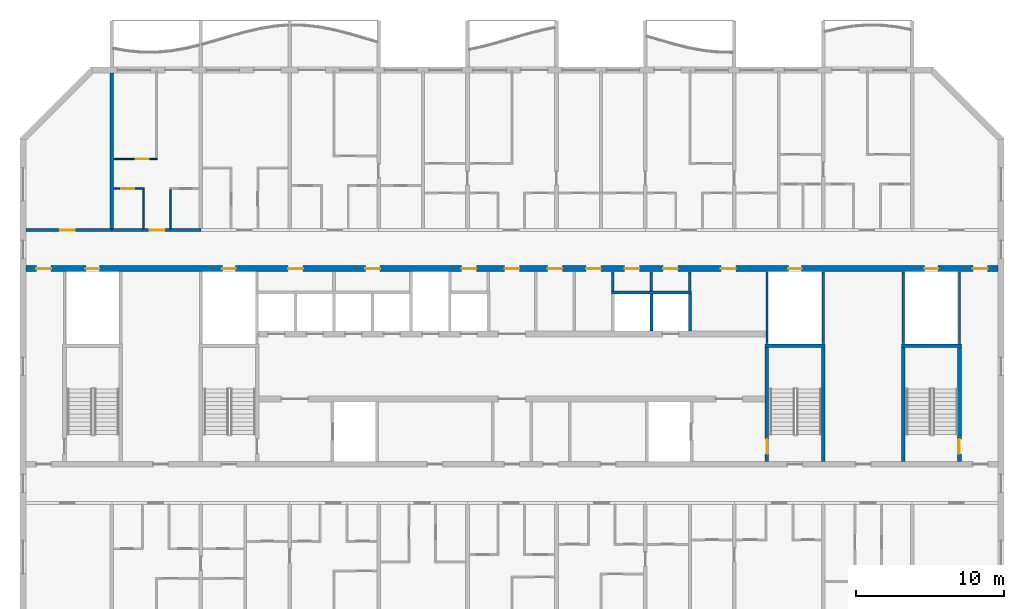
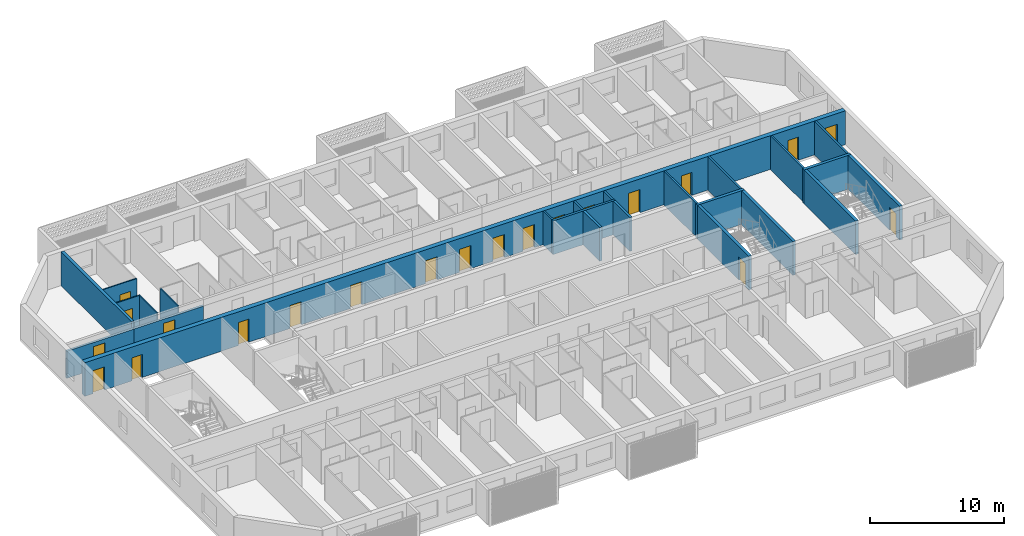
# One storey, part 7 of 27: 24 walls, 21 doors, 21 openings.
"""IFC4 building model written with IfcOpenShell, lengths in metres."""

from ifc_helpers import new_model, si_unit, direction, frame, frame_2d, origin, place, context, subcontext, project, spatial, rectangle, extrude, material, layer, layer_set, type_object, element, fill, save


model = new_model("IFC4")

# Units and contexts
model_context = context("Model", 3, precision=1e-05, world=origin(), true_north=direction((0.0, 1.0)))
body_context = subcontext(model_context, "Body", "Model", "MODEL_VIEW")
ifc_project = project(units=[si_unit("LENGTHUNIT", "METRE"), si_unit("AREAUNIT", "SQUARE_METRE"), si_unit("VOLUMEUNIT", "CUBIC_METRE"), si_unit("PLANEANGLEUNIT", "RADIAN"), si_unit("MASSUNIT", "GRAM", prefix="KILO")], contexts=[model_context])

# Site, building, storey
site_placement = place(None, origin())
site = spatial("IfcSite", under=ifc_project, at=site_placement, CompositionType="ELEMENT")
building_placement = place(site_placement, origin())
building = spatial("IfcBuilding", under=site, at=building_placement, Name="Poui Terraces", CompositionType="ELEMENT")
storey_placement = place(building_placement, frame((0.0, 0.0, 204.89990234375)))
storey = spatial("IfcBuildingStorey", under=building, at=storey_placement, Name="L57", CompositionType="ELEMENT", Elevation=204.89990234375)

# Wall, opening, door
ifc_material_1 = material(Name="Concrete 50 MPa", Category="concrete")
ifc_layer_1 = layer(ifc_material_1, 0.199951171875)
ifc_layer_set_1 = layer_set([ifc_layer_1], Name="Concrete 50 MPa")
wall_type_1 = type_object("IfcWallType", Name="CORRIDOR WALL 200 50MPa", PredefinedType="SHEAR", material=ifc_layer_set_1)
wall_1_placement = place(storey_placement, frame((18.199951171875, 30.39990234375, 0.0), z_axis=(0.0, 0.0, 1.0), x_axis=(1.0, 0.0, 0.0)))
wall_1 = element("IfcWall", 1, at=wall_1_placement, inside=storey, type_object=wall_type_1, Name="CORRIDOR WALL LINE E BAY 1", PredefinedType="SHEAR", context=body_context, shape_type="SweptSolid", body=[
    extrude(rectangle(XDim=5.800048828125, YDim=0.199951171875, at=frame_2d((2.89990234375, 0.0))), origin(), (0.0, 0.0, 1.0), 2.47998046875),
])
opening_1_placement = place(wall_1_placement, frame((2.300048828125, 0.0, 0.0)))
opening_1 = element("IfcOpeningElement", 2, at=opening_1_placement, cuts=wall_1, Name="Opening D100", PredefinedType="OPENING", context=body_context, shape_type="SweptSolid", body=[
    extrude(rectangle(XDim=1.0, YDim=2.10009765625, at=frame_2d((0.5, 1.050048828125))), frame((0.0, 0.10986328125, 0.0), z_axis=(0.0, -1.0, 0.0), x_axis=(1.0, 0.0, 0.0)), (0.0, 0.0, 1.0), 0.219970703125),
])
ifc_material_2 = material(Name="Solid core timber door", Category="wood")
door_type_1 = type_object("IfcDoorType", Name="ACCESSIBLE INTERNAL DOOR 1000 X 2100", OperationType="NOTDEFINED", PredefinedType="DOOR", material=ifc_material_2)
door_1_placement = place(opening_1_placement, origin())
door_1 = element("IfcDoor", 3, at=door_1_placement, inside=storey, type_object=door_type_1, Name="ACCESSIBLE INTERNAL DOOR 026", OperationType="SINGLE_SWING_LEFT", OverallHeight=2.10009765625, OverallWidth=1.0, PredefinedType="DOOR", context=body_context, shape_type="SweptSolid", body=[
    extrude(rectangle(XDim=1.0, YDim=2.10009765625, at=frame_2d((0.5, 1.050048828125))), frame((0.0, 0.02490234375, 0.0), z_axis=(0.0, -1.0, 0.0), x_axis=(1.0, 0.0, 0.0)), (0.0, 0.0, 1.0), 0.050048828125),
])
fill(opening_1, door_1)

wall_2_placement = place(storey_placement, frame((24.0, 30.39990234375, 0.0), z_axis=(0.0, 0.0, 1.0), x_axis=(1.0, 0.0, 0.0)))
wall_2 = element("IfcWall", 4, at=wall_2_placement, inside=storey, type_object=wall_type_1, Name="CORRIDOR WALL LINE E BAY 2", PredefinedType="SHEAR", context=body_context, shape_type="SweptSolid", body=[
    extrude(rectangle(XDim=6.0, YDim=0.199951171875, at=frame_2d((3.0, 0.0))), origin(), (0.0, 0.0, 1.0), 2.47998046875),
])
opening_2_placement = place(wall_2_placement, frame((2.550048828125, 0.0, 0.0)))
opening_2 = element("IfcOpeningElement", 5, at=opening_2_placement, cuts=wall_2, Name="Opening FD30S", PredefinedType="OPENING", context=body_context, shape_type="SweptSolid", body=[
    extrude(rectangle(XDim=1.0, YDim=2.10009765625, at=frame_2d((0.5, 1.050048828125))), frame((0.0, 0.10986328125, 0.0), z_axis=(0.0, -1.0, 0.0), x_axis=(1.0, 0.0, 0.0)), (0.0, 0.0, 1.0), 0.219970703125),
])
ifc_material_3 = material(Name="Steel fire door", Category="steel")
door_type_2 = type_object("IfcDoorType", Name="FLAT ENTRANCE DOOR 1000 X 2100", OperationType="NOTDEFINED", PredefinedType="DOOR", material=ifc_material_3)
door_2_placement = place(opening_2_placement, origin())
door_2 = element("IfcDoor", 6, at=door_2_placement, inside=storey, type_object=door_type_2, Name="FLAT ENTRANCE DOOR 029", OperationType="SINGLE_SWING_RIGHT", OverallHeight=2.10009765625, OverallWidth=1.0, PredefinedType="DOOR", context=body_context, shape_type="SweptSolid", body=[
    extrude(rectangle(XDim=1.0, YDim=2.10009765625, at=frame_2d((0.5, 1.050048828125))), frame((0.0, 0.02490234375, 0.0), z_axis=(0.0, -1.0, 0.0), x_axis=(1.0, 0.0, 0.0)), (0.0, 0.0, 1.0), 0.050048828125),
])
fill(opening_2, door_2)

# Wall
ifc_layer_2 = layer(ifc_material_1, 0.25)
ifc_layer_set_2 = layer_set([ifc_layer_2], Name="Concrete 50 MPa")
wall_type_2 = type_object("IfcWallType", Name="CROSS WALL 250 50MPa", PredefinedType="SHEAR", material=ifc_layer_set_2)
wall_3_placement = place(storey_placement, frame((24.0, 30.5, 0.0), z_axis=(0.0, 0.0, 1.0), x_axis=(0.0, 1.0, 0.0)))
element("IfcWall", 7, at=wall_3_placement, inside=storey, type_object=wall_type_2, Name="CROSS WALL LINE 5 NORTH", PredefinedType="SHEAR", context=body_context, shape_type="SweptSolid", body=[
    extrude(rectangle(XDim=10.5, YDim=0.25, at=frame_2d((5.25, 0.0))), origin(), (0.0, 0.0, 1.0), 3.080078125),
])

# Wall, opening, door
ifc_material_4 = material(Name="Plasterboard partition")
ifc_layer_3 = layer(ifc_material_4, 0.10009765625)
ifc_layer_set_3 = layer_set([ifc_layer_3], Name="Plasterboard partition")
wall_type_3 = type_object("IfcWallType", Name="FLAT PARTITION 100", PredefinedType="PARTITIONING", material=ifc_layer_set_3)
wall_4_placement = place(storey_placement, frame((24.135009765625, 33.199951171875, 0.0), z_axis=(0.0, 0.0, 1.0), x_axis=(1.0, 0.0, 0.0)))
wall_4 = element("IfcWall", 8, at=wall_4_placement, inside=storey, type_object=wall_type_3, Name="FLAT PARTITION 100", PredefinedType="PARTITIONING", context=body_context, shape_type="SweptSolid", body=[
    extrude(rectangle(XDim=2.06494140625, YDim=0.10009765625, at=frame_2d((1.032470703125, 0.0))), origin(), (0.0, 0.0, 1.0), 3.080078125),
])
opening_3_placement = place(wall_4_placement, frame((0.489990234375, 0.0, 0.0)))
opening_3 = element("IfcOpeningElement", 9, at=opening_3_placement, cuts=wall_4, Name="Opening D90", PredefinedType="OPENING", context=body_context, shape_type="SweptSolid", body=[
    extrude(rectangle(XDim=0.89990234375, YDim=2.10009765625, at=frame_2d((0.449951171875, 1.050048828125))), frame((0.0, 0.06005859375, 0.0), z_axis=(0.0, -1.0, 0.0), x_axis=(1.0, 0.0, 0.0)), (0.0, 0.0, 1.0), 0.1201171875),
])
door_type_3 = type_object("IfcDoorType", Name="INTERNAL DOOR 900 X 2100", OperationType="NOTDEFINED", PredefinedType="DOOR", material=ifc_material_2)
door_3_placement = place(opening_3_placement, frame((0.89990234375, 0.0, 0.0), z_axis=(0.0, 0.0, 1.0), x_axis=(-1.0, 0.0, 0.0)))
door_3 = element("IfcDoor", 10, at=door_3_placement, inside=storey, type_object=door_type_3, Name="INTERNAL DOOR 027", OperationType="SINGLE_SWING_LEFT", OverallHeight=2.10009765625, OverallWidth=0.89990234375, PredefinedType="DOOR", context=body_context, shape_type="SweptSolid", body=[
    extrude(rectangle(XDim=0.89990234375, YDim=2.10009765625, at=frame_2d((0.449951171875, 1.050048828125))), frame((0.0, 0.02490234375, 0.0), z_axis=(0.0, -1.0, 0.0), x_axis=(1.0, 0.0, 0.0)), (0.0, 0.0, 1.0), 0.050048828125),
])
fill(opening_3, door_3)

wall_5_placement = place(storey_placement, frame((24.135009765625, 35.199951171875, 0.0), z_axis=(0.0, 0.0, 1.0), x_axis=(1.0, 0.0, 0.0)))
wall_5 = element("IfcWall", 11, at=wall_5_placement, inside=storey, type_object=wall_type_3, Name="FLAT PARTITION 100", PredefinedType="PARTITIONING", context=body_context, shape_type="SweptSolid", body=[
    extrude(rectangle(XDim=2.9150390625, YDim=0.10009765625, at=frame_2d((1.45751953125, 0.0))), origin(), (0.0, 0.0, 1.0), 3.080078125),
])
opening_4_placement = place(wall_5_placement, frame((1.465087890625, 0.0, 0.0)))
opening_4 = element("IfcOpeningElement", 12, at=opening_4_placement, cuts=wall_5, Name="Opening D90", PredefinedType="OPENING", context=body_context, shape_type="SweptSolid", body=[
    extrude(rectangle(XDim=0.89990234375, YDim=2.10009765625, at=frame_2d((0.449951171875, 1.050048828125))), frame((0.0, 0.06005859375, 0.0), z_axis=(0.0, -1.0, 0.0), x_axis=(1.0, 0.0, 0.0)), (0.0, 0.0, 1.0), 0.1201171875),
])
door_4_placement = place(opening_4_placement, frame((0.89990234375, 0.0, 0.0), z_axis=(0.0, 0.0, 1.0), x_axis=(-1.0, 0.0, 0.0)))
door_4 = element("IfcDoor", 13, at=door_4_placement, inside=storey, type_object=door_type_3, Name="INTERNAL DOOR 028", OperationType="SINGLE_SWING_RIGHT", OverallHeight=2.10009765625, OverallWidth=0.89990234375, PredefinedType="DOOR", context=body_context, shape_type="SweptSolid", body=[
    extrude(rectangle(XDim=0.89990234375, YDim=2.10009765625, at=frame_2d((0.449951171875, 1.050048828125))), frame((0.0, 0.02490234375, 0.0), z_axis=(0.0, -1.0, 0.0), x_axis=(1.0, 0.0, 0.0)), (0.0, 0.0, 1.0), 0.050048828125),
])
fill(opening_4, door_4)

# Walls
for number, where, z_axis, x_axis, name in (
    (14, (26.14990234375, 30.510009765625, 0.0), (0.0, 0.0, 1.0), (0.0, 1.0, 0.0), "FLAT PARTITION 100"),
    (15, (27.949951171875, 30.510009765625, 0.0), (0.0, 0.0, 1.0), (0.0, 1.0, 0.0), "FLAT PARTITION 100"),
):
    element("IfcWall", number, at=place(storey_placement, frame(where, z_axis=z_axis, x_axis=x_axis)), inside=storey, type_object=wall_type_3, Name=name, PredefinedType="PARTITIONING", context=body_context, shape_type="SweptSolid", body=[
        extrude(rectangle(XDim=2.639892578125, YDim=0.10009765625, at=frame_2d((1.31982421875, 0.0))), origin(), (0.0, 0.0, 1.0), 3.080078125),
    ])
ifc_layer_4 = layer(ifc_material_4, 0.14990234375)
ifc_layer_set_4 = layer_set([ifc_layer_4], Name="Plasterboard partition")
wall_type_4 = type_object("IfcWallType", Name="PARTITION WALL 150", PredefinedType="PARTITIONING", material=ifc_layer_set_4)
for number, where, z_axis, x_axis, name in (
    (16, (57.800048828125, 26.300048828125, 0.0), (0.0, 0.0, 1.0), (0.0, 1.0, 0.0), "PARTITION WALL 150"),
    (17, (60.39990234375, 26.300048828125, 0.0), (0.0, 0.0, 1.0), (0.0, 1.0, 0.0), "PARTITION WALL 150"),
    (18, (63.0, 26.300048828125, 0.0), (0.0, 0.0, 1.0), (0.0, 1.0, 0.0), "PARTITION WALL 150"),
):
    element("IfcWall", number, at=place(storey_placement, frame(where, z_axis=z_axis, x_axis=x_axis)), inside=storey, type_object=wall_type_4, Name=name, PredefinedType="PARTITIONING", context=body_context, shape_type="SweptSolid", body=[
        extrude(rectangle(XDim=1.2900390625, YDim=0.14990234375, at=frame_2d((0.64501953125, 0.0))), origin(), (0.0, 0.0, 1.0), 3.080078125),
    ])
ifc_material_5 = material(Name="Fire-rated plasterboard riser wall")
ifc_layer_5 = layer(ifc_material_5, 0.14990234375)
ifc_layer_set_5 = layer_set([ifc_layer_5], Name="Fire-rated plasterboard riser wall")
wall_type_5 = type_object("IfcWallType", Name="RISER WALL 150", PredefinedType="PARTITIONING", material=ifc_layer_set_5)
for number, where, z_axis, x_axis, name in (
    (19, (68.199951171875, 22.735107421875, 0.0), (0.0, 0.0, 1.0), (0.0, 1.0, 0.0), "RISER WALL 150"),
    (20, (72.0, 22.735107421875, 0.0), (0.0, 0.0, 1.0), (0.0, 1.0, 0.0), "RISER WALL 150"),
    (21, (77.39990234375, 22.735107421875, 0.0), (0.0, 0.0, 1.0), (0.0, 1.0, 0.0), "RISER WALL 150"),
    (22, (81.199951171875, 22.735107421875, 0.0), (0.0, 0.0, 1.0), (0.0, 1.0, 0.0), "RISER WALL 150"),
):
    element("IfcWall", number, at=place(storey_placement, frame(where, z_axis=z_axis, x_axis=x_axis)), inside=storey, type_object=wall_type_5, Name=name, PredefinedType="PARTITIONING", context=body_context, shape_type="SweptSolid", body=[
        extrude(rectangle(XDim=4.85498046875, YDim=0.14990234375, at=frame_2d((2.427490234375, 0.0))), origin(), (0.0, 0.0, 1.0), 3.080078125),
    ])
ifc_material_6 = material(Name="Fire-rated masonry shaft wall", Category="masonry")
ifc_layer_6 = layer(ifc_material_6, 0.199951171875)
ifc_layer_set_6 = layer_set([ifc_layer_6], Name="Fire-rated masonry shaft wall")
wall_type_6 = type_object("IfcWallType", Name="SHAFT WALL 200", PredefinedType="PARTITIONING", material=ifc_layer_set_6)
wall_6_placement = place(storey_placement, frame((57.699951171875, 26.199951171875, 0.0), z_axis=(0.0, 0.0, 1.0), x_axis=(1.0, 0.0, 0.0)))
element("IfcWall", 23, at=wall_6_placement, inside=storey, type_object=wall_type_6, Name="SHAFT WALL 200", PredefinedType="PARTITIONING", context=body_context, shape_type="SweptSolid", body=[
    extrude(rectangle(XDim=5.400146484375, YDim=0.199951171875, at=frame_2d((2.7001953125, 0.0))), origin(), (0.0, 0.0, 1.0), 3.080078125),
])
for number, where, z_axis, x_axis, name in (
    (24, (60.39990234375, 23.610107421875, 0.0), (0.0, 0.0, 1.0), (0.0, 1.0, 0.0), "SHAFT WALL 200"),
    (25, (63.0, 23.610107421875, 0.0), (0.0, 0.0, 1.0), (0.0, 1.0, 0.0), "SHAFT WALL 200"),
):
    element("IfcWall", number, at=place(storey_placement, frame(where, z_axis=z_axis, x_axis=x_axis)), inside=storey, type_object=wall_type_6, Name=name, PredefinedType="PARTITIONING", context=body_context, shape_type="SweptSolid", body=[
        extrude(rectangle(XDim=2.489990234375, YDim=0.199951171875, at=frame_2d((1.2451171875, 0.0))), origin(), (0.0, 0.0, 1.0), 3.080078125),
    ])

# Wall, openings, doors
ifc_layer_7 = layer(ifc_material_1, 0.39990234375)
ifc_layer_set_7 = layer_set([ifc_layer_7], Name="Concrete 50 MPa")
wall_type_7 = type_object("IfcWallType", Name="SPINE WALL 400 50 MPA", PredefinedType="SOLIDWALL", material=ifc_layer_set_7)
wall_7_placement = place(storey_placement, frame((18.199951171875, 27.800048828125, 0.0), z_axis=(0.0, 0.0, 1.0), x_axis=(1.0, 0.0, 0.0)))
wall_7 = element("IfcWall", 26, at=wall_7_placement, inside=storey, type_object=wall_type_7, Name="SPINE WALL", PredefinedType="SOLIDWALL", context=body_context, shape_type="SweptSolid", body=[
    extrude(rectangle(XDim=65.60009765625, YDim=0.39990234375, at=frame_2d((32.800048828125, 0.0))), origin(), (0.0, 0.0, 1.0), 3.080078125),
])
opening_5_placement = place(wall_7_placement, frame((0.699951171875, 0.0, 0.0)))
opening_5 = element("IfcOpeningElement", 27, at=opening_5_placement, cuts=wall_7, Name="Opening FDL", PredefinedType="OPENING", context=body_context, shape_type="SweptSolid", body=[
    extrude(rectangle(XDim=1.0, YDim=2.10009765625, at=frame_2d((0.5, 1.050048828125))), frame((0.0, 0.2099609375, 0.0), z_axis=(0.0, -1.0, 0.0), x_axis=(1.0, 0.0, 0.0)), (0.0, 0.0, 1.0), 0.419921875),
])
opening_6_placement = place(wall_7_placement, frame((4.050048828125, 0.0, 0.0)))
opening_6 = element("IfcOpeningElement", 28, at=opening_6_placement, cuts=wall_7, Name="Opening FDR", PredefinedType="OPENING", context=body_context, shape_type="SweptSolid", body=[
    extrude(rectangle(XDim=0.89990234375, YDim=2.10009765625, at=frame_2d((0.449951171875, 1.050048828125))), frame((0.0, 0.2099609375, 0.0), z_axis=(0.0, -1.0, 0.0), x_axis=(1.0, 0.0, 0.0)), (0.0, 0.0, 1.0), 0.419921875),
])
opening_7_placement = place(wall_7_placement, frame((13.25, 0.0, 0.0)))
opening_7 = element("IfcOpeningElement", 29, at=opening_7_placement, cuts=wall_7, Name="Opening FDR", PredefinedType="OPENING", context=body_context, shape_type="SweptSolid", body=[
    extrude(rectangle(XDim=0.89990234375, YDim=2.10009765625, at=frame_2d((0.449951171875, 1.050048828125))), frame((0.0, 0.2099609375, 0.0), z_axis=(0.0, -1.0, 0.0), x_axis=(1.0, 0.0, 0.0)), (0.0, 0.0, 1.0), 0.419921875),
])
opening_8_placement = place(wall_7_placement, frame((17.699951171875, 0.0, 0.0)))
opening_8 = element("IfcOpeningElement", 30, at=opening_8_placement, cuts=wall_7, Name="Opening FD60", PredefinedType="OPENING", context=body_context, shape_type="SweptSolid", body=[
    extrude(rectangle(XDim=1.0, YDim=2.10009765625, at=frame_2d((0.5, 1.050048828125))), frame((0.0, 0.2099609375, 0.0), z_axis=(0.0, -1.0, 0.0), x_axis=(1.0, 0.0, 0.0)), (0.0, 0.0, 1.0), 0.419921875),
])
opening_9_placement = place(wall_7_placement, frame((22.89990234375, 0.0, 0.0)))
opening_9 = element("IfcOpeningElement", 31, at=opening_9_placement, cuts=wall_7, Name="Opening FD60", PredefinedType="OPENING", context=body_context, shape_type="SweptSolid", body=[
    extrude(rectangle(XDim=1.0, YDim=2.10009765625, at=frame_2d((0.5, 1.050048828125))), frame((0.0, 0.2099609375, 0.0), z_axis=(0.0, -1.0, 0.0), x_axis=(1.0, 0.0, 0.0)), (0.0, 0.0, 1.0), 0.419921875),
])
opening_10_placement = place(wall_7_placement, frame((29.39990234375, 0.0, 0.0)))
opening_10 = element("IfcOpeningElement", 32, at=opening_10_placement, cuts=wall_7, Name="Opening FD60", PredefinedType="OPENING", context=body_context, shape_type="SweptSolid", body=[
    extrude(rectangle(XDim=1.0, YDim=2.10009765625, at=frame_2d((0.5, 1.050048828125))), frame((0.0, 0.2099609375, 0.0), z_axis=(0.0, -1.0, 0.0), x_axis=(1.0, 0.0, 0.0)), (0.0, 0.0, 1.0), 0.419921875),
])
opening_11_placement = place(wall_7_placement, frame((32.300048828125, 0.0, 0.0)))
opening_11 = element("IfcOpeningElement", 33, at=opening_11_placement, cuts=wall_7, Name="Opening FDL", PredefinedType="OPENING", context=body_context, shape_type="SweptSolid", body=[
    extrude(rectangle(XDim=1.0, YDim=2.10009765625, at=frame_2d((0.5, 1.050048828125))), frame((0.0, 0.2099609375, 0.0), z_axis=(0.0, -1.0, 0.0), x_axis=(1.0, 0.0, 0.0)), (0.0, 0.0, 1.0), 0.419921875),
])
opening_12_placement = place(wall_7_placement, frame((35.199951171875, 0.0, 0.0)))
opening_12 = element("IfcOpeningElement", 34, at=opening_12_placement, cuts=wall_7, Name="Opening FD60", PredefinedType="OPENING", context=body_context, shape_type="SweptSolid", body=[
    extrude(rectangle(XDim=1.0, YDim=2.10009765625, at=frame_2d((0.5, 1.050048828125))), frame((0.0, 0.2099609375, 0.0), z_axis=(0.0, -1.0, 0.0), x_axis=(1.0, 0.0, 0.0)), (0.0, 0.0, 1.0), 0.419921875),
])
opening_13_placement = place(wall_7_placement, frame((37.800048828125, 0.0, 0.0)))
opening_13 = element("IfcOpeningElement", 35, at=opening_13_placement, cuts=wall_7, Name="Opening FD60", PredefinedType="OPENING", context=body_context, shape_type="SweptSolid", body=[
    extrude(rectangle(XDim=1.0, YDim=2.10009765625, at=frame_2d((0.5, 1.050048828125))), frame((0.0, 0.2099609375, 0.0), z_axis=(0.0, -1.0, 0.0), x_axis=(1.0, 0.0, 0.0)), (0.0, 0.0, 1.0), 0.419921875),
])
opening_14_placement = place(wall_7_placement, frame((40.39990234375, 0.0, 0.0)))
opening_14 = element("IfcOpeningElement", 36, at=opening_14_placement, cuts=wall_7, Name="Opening FD60", PredefinedType="OPENING", context=body_context, shape_type="SweptSolid", body=[
    extrude(rectangle(XDim=1.0, YDim=2.10009765625, at=frame_2d((0.5, 1.050048828125))), frame((0.0, 0.2099609375, 0.0), z_axis=(0.0, -1.0, 0.0), x_axis=(1.0, 0.0, 0.0)), (0.0, 0.0, 1.0), 0.419921875),
])
opening_15_placement = place(wall_7_placement, frame((43.0, 0.0, 0.0)))
opening_15 = element("IfcOpeningElement", 37, at=opening_15_placement, cuts=wall_7, Name="Opening FD60", PredefinedType="OPENING", context=body_context, shape_type="SweptSolid", body=[
    extrude(rectangle(XDim=1.0, YDim=2.10009765625, at=frame_2d((0.5, 1.050048828125))), frame((0.0, 0.2099609375, 0.0), z_axis=(0.0, -1.0, 0.0), x_axis=(1.0, 0.0, 0.0)), (0.0, 0.0, 1.0), 0.419921875),
])
opening_16_placement = place(wall_7_placement, frame((46.89990234375, 0.0, 0.0)))
opening_16 = element("IfcOpeningElement", 38, at=opening_16_placement, cuts=wall_7, Name="Opening FD60", PredefinedType="OPENING", context=body_context, shape_type="SweptSolid", body=[
    extrude(rectangle(XDim=1.0, YDim=2.10009765625, at=frame_2d((0.5, 1.050048828125))), frame((0.0, 0.2099609375, 0.0), z_axis=(0.0, -1.0, 0.0), x_axis=(1.0, 0.0, 0.0)), (0.0, 0.0, 1.0), 0.419921875),
])
opening_17_placement = place(wall_7_placement, frame((51.449951171875, 0.0, 0.0)))
opening_17 = element("IfcOpeningElement", 39, at=opening_17_placement, cuts=wall_7, Name="Opening FDR", PredefinedType="OPENING", context=body_context, shape_type="SweptSolid", body=[
    extrude(rectangle(XDim=0.89990234375, YDim=2.10009765625, at=frame_2d((0.449951171875, 1.050048828125))), frame((0.0, 0.2099609375, 0.0), z_axis=(0.0, -1.0, 0.0), x_axis=(1.0, 0.0, 0.0)), (0.0, 0.0, 1.0), 0.419921875),
])
opening_18_placement = place(wall_7_placement, frame((60.64990234375, 0.0, 0.0)))
opening_18 = element("IfcOpeningElement", 40, at=opening_18_placement, cuts=wall_7, Name="Opening FDR", PredefinedType="OPENING", context=body_context, shape_type="SweptSolid", body=[
    extrude(rectangle(XDim=0.89990234375, YDim=2.10009765625, at=frame_2d((0.449951171875, 1.050048828125))), frame((0.0, 0.2099609375, 0.0), z_axis=(0.0, -1.0, 0.0), x_axis=(1.0, 0.0, 0.0)), (0.0, 0.0, 1.0), 0.419921875),
])
opening_19_placement = place(wall_7_placement, frame((63.89990234375, 0.0, 0.0)))
opening_19 = element("IfcOpeningElement", 41, at=opening_19_placement, cuts=wall_7, Name="Opening FDL", PredefinedType="OPENING", context=body_context, shape_type="SweptSolid", body=[
    extrude(rectangle(XDim=1.0, YDim=2.10009765625, at=frame_2d((0.5, 1.050048828125))), frame((0.0, 0.2099609375, 0.0), z_axis=(0.0, -1.0, 0.0), x_axis=(1.0, 0.0, 0.0)), (0.0, 0.0, 1.0), 0.419921875),
])
door_type_4 = type_object("IfcDoorType", Name="LOBBY FIRE DOOR 1000 X 2100", OperationType="NOTDEFINED", PredefinedType="DOOR", material=ifc_material_3)
door_5_placement = place(opening_5_placement, origin())
door_5 = element("IfcDoor", 42, at=door_5_placement, inside=storey, type_object=door_type_4, Name="LOBBY FIRE DOOR 001", OperationType="SINGLE_SWING_LEFT", OverallHeight=2.10009765625, OverallWidth=1.0, PredefinedType="DOOR", context=body_context, shape_type="SweptSolid", body=[
    extrude(rectangle(XDim=1.0, YDim=2.10009765625, at=frame_2d((0.5, 1.050048828125))), frame((0.0, 0.02490234375, 0.0), z_axis=(0.0, -1.0, 0.0), x_axis=(1.0, 0.0, 0.0)), (0.0, 0.0, 1.0), 0.050048828125),
])
fill(opening_5, door_5)
door_6_placement = place(opening_11_placement, origin())
door_6 = element("IfcDoor", 43, at=door_6_placement, inside=storey, type_object=door_type_4, Name="LOBBY FIRE DOOR 007", OperationType="SINGLE_SWING_RIGHT", OverallHeight=2.10009765625, OverallWidth=1.0, PredefinedType="DOOR", context=body_context, shape_type="SweptSolid", body=[
    extrude(rectangle(XDim=1.0, YDim=2.10009765625, at=frame_2d((0.5, 1.050048828125))), frame((0.0, 0.02490234375, 0.0), z_axis=(0.0, -1.0, 0.0), x_axis=(1.0, 0.0, 0.0)), (0.0, 0.0, 1.0), 0.050048828125),
])
fill(opening_11, door_6)
door_7_placement = place(opening_19_placement, origin())
door_7 = element("IfcDoor", 44, at=door_7_placement, inside=storey, type_object=door_type_4, Name="LOBBY FIRE DOOR 015", OperationType="SINGLE_SWING_RIGHT", OverallHeight=2.10009765625, OverallWidth=1.0, PredefinedType="DOOR", context=body_context, shape_type="SweptSolid", body=[
    extrude(rectangle(XDim=1.0, YDim=2.10009765625, at=frame_2d((0.5, 1.050048828125))), frame((0.0, 0.02490234375, 0.0), z_axis=(0.0, -1.0, 0.0), x_axis=(1.0, 0.0, 0.0)), (0.0, 0.0, 1.0), 0.050048828125),
])
fill(opening_19, door_7)
door_type_5 = type_object("IfcDoorType", Name="RISER CUPBOARD DOOR 900 X 2100", OperationType="NOTDEFINED", PredefinedType="DOOR", material=ifc_material_3)
door_8_placement = place(opening_6_placement, origin())
door_8 = element("IfcDoor", 45, at=door_8_placement, inside=storey, type_object=door_type_5, Name="RISER CUPBOARD DOOR 002", OperationType="SINGLE_SWING_LEFT", OverallHeight=2.10009765625, OverallWidth=0.89990234375, PredefinedType="DOOR", context=body_context, shape_type="SweptSolid", body=[
    extrude(rectangle(XDim=0.89990234375, YDim=2.10009765625, at=frame_2d((0.449951171875, 1.050048828125))), frame((0.0, 0.02490234375, 0.0), z_axis=(0.0, -1.0, 0.0), x_axis=(1.0, 0.0, 0.0)), (0.0, 0.0, 1.0), 0.050048828125),
])
fill(opening_6, door_8)
door_9_placement = place(opening_7_placement, origin())
door_9 = element("IfcDoor", 46, at=door_9_placement, inside=storey, type_object=door_type_5, Name="RISER CUPBOARD DOOR 003", OperationType="SINGLE_SWING_LEFT", OverallHeight=2.10009765625, OverallWidth=0.89990234375, PredefinedType="DOOR", context=body_context, shape_type="SweptSolid", body=[
    extrude(rectangle(XDim=0.89990234375, YDim=2.10009765625, at=frame_2d((0.449951171875, 1.050048828125))), frame((0.0, 0.02490234375, 0.0), z_axis=(0.0, -1.0, 0.0), x_axis=(1.0, 0.0, 0.0)), (0.0, 0.0, 1.0), 0.050048828125),
])
fill(opening_7, door_9)
door_10_placement = place(opening_17_placement, origin())
door_10 = element("IfcDoor", 47, at=door_10_placement, inside=storey, type_object=door_type_5, Name="RISER CUPBOARD DOOR 013", OperationType="SINGLE_SWING_RIGHT", OverallHeight=2.10009765625, OverallWidth=0.89990234375, PredefinedType="DOOR", context=body_context, shape_type="SweptSolid", body=[
    extrude(rectangle(XDim=0.89990234375, YDim=2.10009765625, at=frame_2d((0.449951171875, 1.050048828125))), frame((0.0, 0.02490234375, 0.0), z_axis=(0.0, -1.0, 0.0), x_axis=(1.0, 0.0, 0.0)), (0.0, 0.0, 1.0), 0.050048828125),
])
fill(opening_17, door_10)
door_11_placement = place(opening_18_placement, origin())
door_11 = element("IfcDoor", 48, at=door_11_placement, inside=storey, type_object=door_type_5, Name="RISER CUPBOARD DOOR 014", OperationType="SINGLE_SWING_RIGHT", OverallHeight=2.10009765625, OverallWidth=0.89990234375, PredefinedType="DOOR", context=body_context, shape_type="SweptSolid", body=[
    extrude(rectangle(XDim=0.89990234375, YDim=2.10009765625, at=frame_2d((0.449951171875, 1.050048828125))), frame((0.0, 0.02490234375, 0.0), z_axis=(0.0, -1.0, 0.0), x_axis=(1.0, 0.0, 0.0)), (0.0, 0.0, 1.0), 0.050048828125),
])
fill(opening_18, door_11)
door_type_6 = type_object("IfcDoorType", Name="SERVICE ROOM FIRE DOOR 1000 X 2100", OperationType="NOTDEFINED", PredefinedType="DOOR", material=ifc_material_3)
door_12_placement = place(opening_8_placement, origin())
door_12 = element("IfcDoor", 49, at=door_12_placement, inside=storey, type_object=door_type_6, Name="SERVICE ROOM FIRE DOOR 004", OperationType="SINGLE_SWING_RIGHT", OverallHeight=2.10009765625, OverallWidth=1.0, PredefinedType="DOOR", context=body_context, shape_type="SweptSolid", body=[
    extrude(rectangle(XDim=1.0, YDim=2.10009765625, at=frame_2d((0.5, 1.050048828125))), frame((0.0, 0.02490234375, 0.0), z_axis=(0.0, -1.0, 0.0), x_axis=(1.0, 0.0, 0.0)), (0.0, 0.0, 1.0), 0.050048828125),
])
fill(opening_8, door_12)
door_13_placement = place(opening_9_placement, origin())
door_13 = element("IfcDoor", 50, at=door_13_placement, inside=storey, type_object=door_type_6, Name="SERVICE ROOM FIRE DOOR 005", OperationType="SINGLE_SWING_LEFT", OverallHeight=2.10009765625, OverallWidth=1.0, PredefinedType="DOOR", context=body_context, shape_type="SweptSolid", body=[
    extrude(rectangle(XDim=1.0, YDim=2.10009765625, at=frame_2d((0.5, 1.050048828125))), frame((0.0, 0.02490234375, 0.0), z_axis=(0.0, -1.0, 0.0), x_axis=(1.0, 0.0, 0.0)), (0.0, 0.0, 1.0), 0.050048828125),
])
fill(opening_9, door_13)
door_14_placement = place(opening_10_placement, origin())
door_14 = element("IfcDoor", 51, at=door_14_placement, inside=storey, type_object=door_type_6, Name="SERVICE ROOM FIRE DOOR 006", OperationType="SINGLE_SWING_RIGHT", OverallHeight=2.10009765625, OverallWidth=1.0, PredefinedType="DOOR", context=body_context, shape_type="SweptSolid", body=[
    extrude(rectangle(XDim=1.0, YDim=2.10009765625, at=frame_2d((0.5, 1.050048828125))), frame((0.0, 0.02490234375, 0.0), z_axis=(0.0, -1.0, 0.0), x_axis=(1.0, 0.0, 0.0)), (0.0, 0.0, 1.0), 0.050048828125),
])
fill(opening_10, door_14)
door_15_placement = place(opening_12_placement, origin())
door_15 = element("IfcDoor", 52, at=door_15_placement, inside=storey, type_object=door_type_6, Name="SERVICE ROOM FIRE DOOR 008", OperationType="SINGLE_SWING_LEFT", OverallHeight=2.10009765625, OverallWidth=1.0, PredefinedType="DOOR", context=body_context, shape_type="SweptSolid", body=[
    extrude(rectangle(XDim=1.0, YDim=2.10009765625, at=frame_2d((0.5, 1.050048828125))), frame((0.0, 0.02490234375, 0.0), z_axis=(0.0, -1.0, 0.0), x_axis=(1.0, 0.0, 0.0)), (0.0, 0.0, 1.0), 0.050048828125),
])
fill(opening_12, door_15)
door_16_placement = place(opening_13_placement, origin())
door_16 = element("IfcDoor", 53, at=door_16_placement, inside=storey, type_object=door_type_6, Name="SERVICE ROOM FIRE DOOR 009", OperationType="SINGLE_SWING_RIGHT", OverallHeight=2.10009765625, OverallWidth=1.0, PredefinedType="DOOR", context=body_context, shape_type="SweptSolid", body=[
    extrude(rectangle(XDim=1.0, YDim=2.10009765625, at=frame_2d((0.5, 1.050048828125))), frame((0.0, 0.02490234375, 0.0), z_axis=(0.0, -1.0, 0.0), x_axis=(1.0, 0.0, 0.0)), (0.0, 0.0, 1.0), 0.050048828125),
])
fill(opening_13, door_16)
door_17_placement = place(opening_14_placement, origin())
door_17 = element("IfcDoor", 54, at=door_17_placement, inside=storey, type_object=door_type_6, Name="SERVICE ROOM FIRE DOOR 010", OperationType="SINGLE_SWING_LEFT", OverallHeight=2.10009765625, OverallWidth=1.0, PredefinedType="DOOR", context=body_context, shape_type="SweptSolid", body=[
    extrude(rectangle(XDim=1.0, YDim=2.10009765625, at=frame_2d((0.5, 1.050048828125))), frame((0.0, 0.02490234375, 0.0), z_axis=(0.0, -1.0, 0.0), x_axis=(1.0, 0.0, 0.0)), (0.0, 0.0, 1.0), 0.050048828125),
])
fill(opening_14, door_17)
door_18_placement = place(opening_15_placement, origin())
door_18 = element("IfcDoor", 55, at=door_18_placement, inside=storey, type_object=door_type_6, Name="SERVICE ROOM FIRE DOOR 011", OperationType="SINGLE_SWING_RIGHT", OverallHeight=2.10009765625, OverallWidth=1.0, PredefinedType="DOOR", context=body_context, shape_type="SweptSolid", body=[
    extrude(rectangle(XDim=1.0, YDim=2.10009765625, at=frame_2d((0.5, 1.050048828125))), frame((0.0, 0.02490234375, 0.0), z_axis=(0.0, -1.0, 0.0), x_axis=(1.0, 0.0, 0.0)), (0.0, 0.0, 1.0), 0.050048828125),
])
fill(opening_15, door_18)
door_19_placement = place(opening_16_placement, origin())
door_19 = element("IfcDoor", 56, at=door_19_placement, inside=storey, type_object=door_type_6, Name="SERVICE ROOM FIRE DOOR 012", OperationType="SINGLE_SWING_LEFT", OverallHeight=2.10009765625, OverallWidth=1.0, PredefinedType="DOOR", context=body_context, shape_type="SweptSolid", body=[
    extrude(rectangle(XDim=1.0, YDim=2.10009765625, at=frame_2d((0.5, 1.050048828125))), frame((0.0, 0.02490234375, 0.0), z_axis=(0.0, -1.0, 0.0), x_axis=(1.0, 0.0, 0.0)), (0.0, 0.0, 1.0), 0.050048828125),
])
fill(opening_16, door_19)

# Wall, opening, door
ifc_layer_8 = layer(ifc_material_1, 0.25)
ifc_layer_set_8 = layer_set([ifc_layer_8], Name="Concrete 50 MPa")
wall_type_8 = type_object("IfcWallType", Name="STAIR CORE WALL 250 50 MPA", PredefinedType="SOLIDWALL", material=ifc_layer_set_8)
wall_8_placement = place(storey_placement, frame((68.199951171875, 14.800048828125, 0.0), z_axis=(0.0, 0.0, 1.0), x_axis=(0.0, 1.0, 0.0)))
wall_8 = element("IfcWall", 57, at=wall_8_placement, inside=storey, type_object=wall_type_8, Name="STAIR CORE WALL", PredefinedType="SOLIDWALL", context=body_context, shape_type="SweptSolid", body=[
    extrude(rectangle(XDim=7.675048828125, YDim=0.25, at=frame_2d((3.83740234375, 0.0))), origin(), (0.0, 0.0, 1.0), 3.080078125),
])
opening_20_placement = place(wall_8_placement, frame((0.5, 0.0, 0.0)))
opening_20 = element("IfcOpeningElement", 58, at=opening_20_placement, cuts=wall_8, Name="Opening FD60S", PredefinedType="OPENING", context=body_context, shape_type="SweptSolid", body=[
    extrude(rectangle(XDim=1.0, YDim=2.10009765625, at=frame_2d((0.5, 1.050048828125))), frame((0.0, 0.135009765625, 0.0), z_axis=(0.0, -1.0, 0.0), x_axis=(1.0, 0.0, 0.0)), (0.0, 0.0, 1.0), 0.27001953125),
])
door_type_7 = type_object("IfcDoorType", Name="STAIR DOOR 1000 X 2100", OperationType="NOTDEFINED", PredefinedType="DOOR", material=ifc_material_3)
door_20_placement = place(opening_20_placement, frame((1.0, 0.0, 0.0), z_axis=(0.0, 0.0, 1.0), x_axis=(-1.0, 0.0, 0.0)))
door_20 = element("IfcDoor", 59, at=door_20_placement, inside=storey, type_object=door_type_7, Name="STAIR DOOR 103", OperationType="SINGLE_SWING_LEFT", OverallHeight=2.10009765625, OverallWidth=1.0, PredefinedType="DOOR", context=body_context, shape_type="SweptSolid", body=[
    extrude(rectangle(XDim=1.0, YDim=2.10009765625, at=frame_2d((0.5, 1.050048828125))), frame((0.0, 0.02490234375, 0.0), z_axis=(0.0, -1.0, 0.0), x_axis=(1.0, 0.0, 0.0)), (0.0, 0.0, 1.0), 0.050048828125),
])
fill(opening_20, door_20)

# Walls
wall_9_placement = place(storey_placement, frame((72.0, 14.800048828125, 0.0), z_axis=(0.0, 0.0, 1.0), x_axis=(0.0, 1.0, 0.0)))
element("IfcWall", 60, at=wall_9_placement, inside=storey, type_object=wall_type_8, Name="STAIR CORE WALL", PredefinedType="SOLIDWALL", context=body_context, shape_type="SweptSolid", body=[
    extrude(rectangle(XDim=7.675048828125, YDim=0.25, at=frame_2d((3.83740234375, 0.0))), origin(), (0.0, 0.0, 1.0), 3.080078125),
])
wall_10_placement = place(storey_placement, frame((68.074951171875, 22.60009765625, 0.0), z_axis=(0.0, 0.0, 1.0), x_axis=(1.0, 0.0, 0.0)))
element("IfcWall", 61, at=wall_10_placement, inside=storey, type_object=wall_type_8, Name="STAIR CORE WALL", PredefinedType="SOLIDWALL", context=body_context, shape_type="SweptSolid", body=[
    extrude(rectangle(XDim=4.050048828125, YDim=0.25, at=frame_2d((2.02490234375, 0.0))), origin(), (0.0, 0.0, 1.0), 3.080078125),
])
wall_11_placement = place(storey_placement, frame((77.39990234375, 14.800048828125, 0.0), z_axis=(0.0, 0.0, 1.0), x_axis=(0.0, 1.0, 0.0)))
element("IfcWall", 62, at=wall_11_placement, inside=storey, type_object=wall_type_8, Name="STAIR CORE WALL", PredefinedType="SOLIDWALL", context=body_context, shape_type="SweptSolid", body=[
    extrude(rectangle(XDim=7.675048828125, YDim=0.25, at=frame_2d((3.83740234375, 0.0))), origin(), (0.0, 0.0, 1.0), 3.080078125),
])

# Wall, opening, door
wall_12_placement = place(storey_placement, frame((81.199951171875, 14.800048828125, 0.0), z_axis=(0.0, 0.0, 1.0), x_axis=(0.0, 1.0, 0.0)))
wall_12 = element("IfcWall", 63, at=wall_12_placement, inside=storey, type_object=wall_type_8, Name="STAIR CORE WALL", PredefinedType="SOLIDWALL", context=body_context, shape_type="SweptSolid", body=[
    extrude(rectangle(XDim=7.675048828125, YDim=0.25, at=frame_2d((3.83740234375, 0.0))), origin(), (0.0, 0.0, 1.0), 3.080078125),
])
opening_21_placement = place(wall_12_placement, frame((0.5, 0.0, 0.0)))
opening_21 = element("IfcOpeningElement", 64, at=opening_21_placement, cuts=wall_12, Name="Opening FD60S", PredefinedType="OPENING", context=body_context, shape_type="SweptSolid", body=[
    extrude(rectangle(XDim=1.0, YDim=2.10009765625, at=frame_2d((0.5, 1.050048828125))), frame((0.0, 0.135009765625, 0.0), z_axis=(0.0, -1.0, 0.0), x_axis=(1.0, 0.0, 0.0)), (0.0, 0.0, 1.0), 0.27001953125),
])
door_21_placement = place(opening_21_placement, origin())
door_21 = element("IfcDoor", 65, at=door_21_placement, inside=storey, type_object=door_type_7, Name="STAIR DOOR 117", OperationType="SINGLE_SWING_LEFT", OverallHeight=2.10009765625, OverallWidth=1.0, PredefinedType="DOOR", context=body_context, shape_type="SweptSolid", body=[
    extrude(rectangle(XDim=1.0, YDim=2.10009765625, at=frame_2d((0.5, 1.050048828125))), frame((0.0, 0.02490234375, 0.0), z_axis=(0.0, -1.0, 0.0), x_axis=(1.0, 0.0, 0.0)), (0.0, 0.0, 1.0), 0.050048828125),
])
fill(opening_21, door_21)

# Wall
wall_13_placement = place(storey_placement, frame((77.27490234375, 22.60009765625, 0.0), z_axis=(0.0, 0.0, 1.0), x_axis=(1.0, 0.0, 0.0)))
element("IfcWall", 66, at=wall_13_placement, inside=storey, type_object=wall_type_8, Name="STAIR CORE WALL", PredefinedType="SOLIDWALL", context=body_context, shape_type="SweptSolid", body=[
    extrude(rectangle(XDim=4.050048828125, YDim=0.25, at=frame_2d((2.02490234375, 0.0))), origin(), (0.0, 0.0, 1.0), 3.080078125),
])

save(model, "model.ifc")
